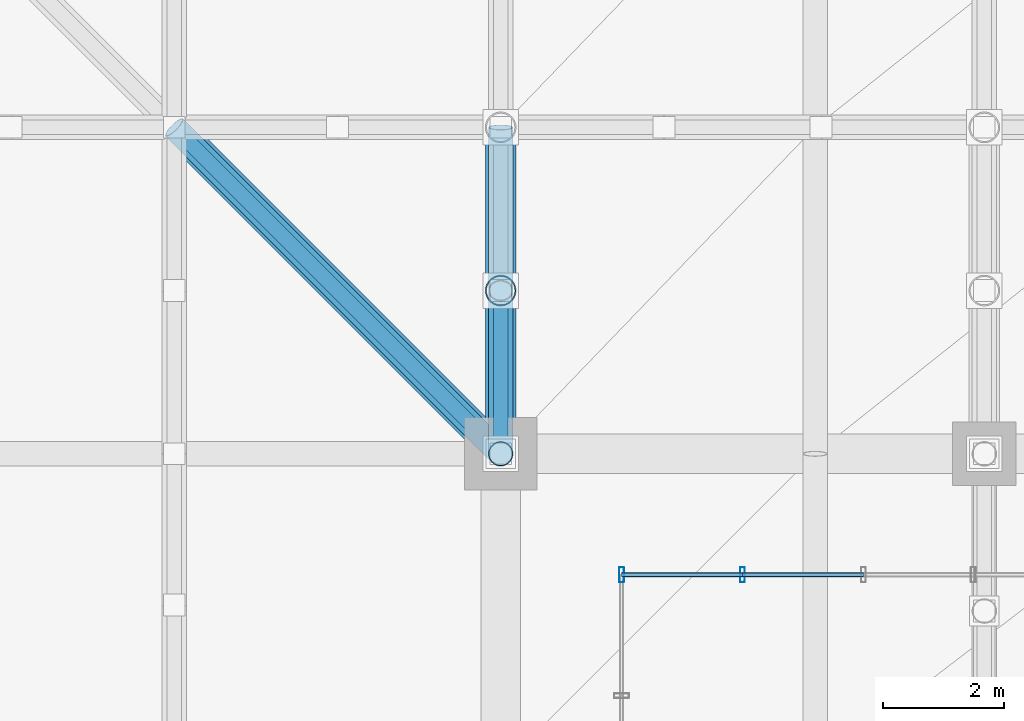
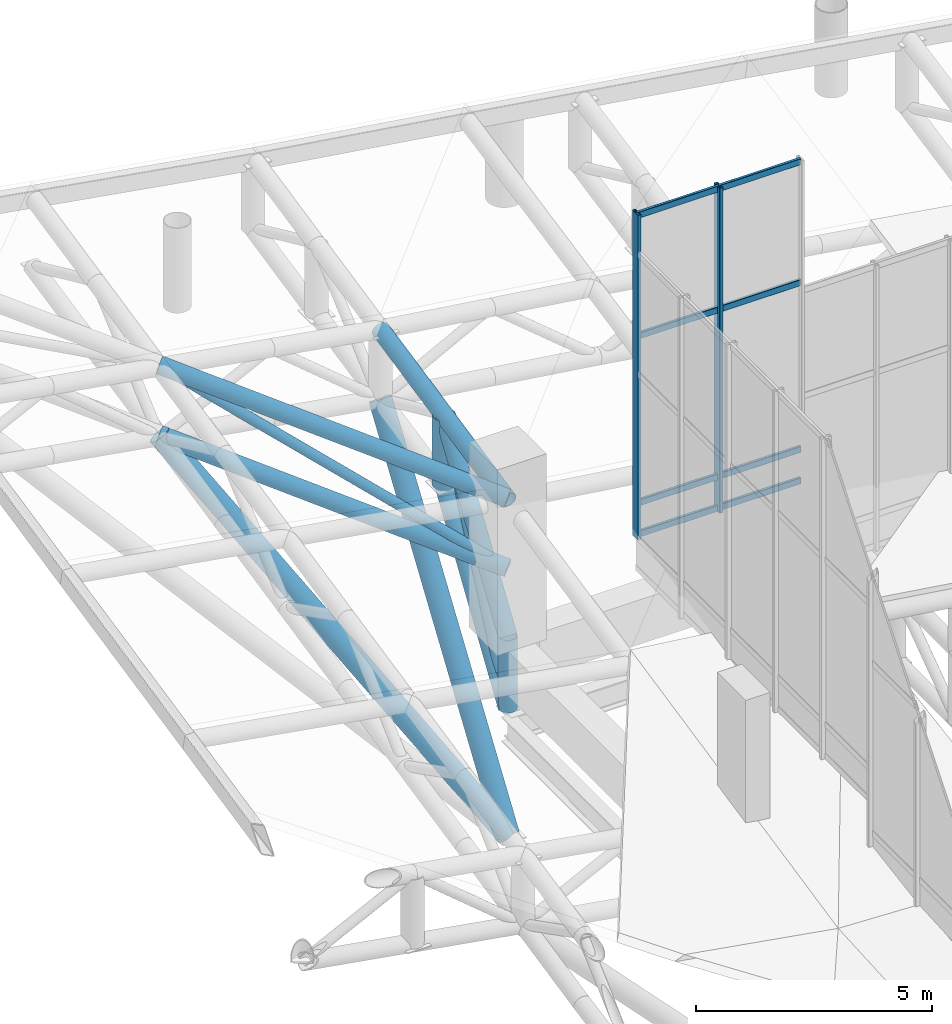
# One storey, part 41 of 137: 21 members, 1 element without a shape of its own.
"""IFC4 building model written with IfcOpenShell, lengths in metres."""

from ifc_helpers import new_model, si_unit, direction, frame, origin, origin_2d, place, context, subcontext, project, spatial, hollow_rectangle, hollow_circle, extrude, material, layer, layer_set, material_profile, profile_set, type_object, element, aggregate, save


model = new_model("IFC4")

# Units and contexts
model_context = context("Model", 3, precision=1e-05, world=origin(), true_north=direction((0.0, 1.0)))
body_context = subcontext(model_context, "Body", "Model", "MODEL_VIEW")
ifc_project = project(units=[si_unit("LENGTHUNIT", "METRE"), si_unit("AREAUNIT", "SQUARE_METRE"), si_unit("VOLUMEUNIT", "CUBIC_METRE"), si_unit("PLANEANGLEUNIT", "RADIAN"), si_unit("MASSUNIT", "GRAM", prefix="KILO")], contexts=[model_context])

# Site, building, storey
site_placement = place(None, origin())
site = spatial("IfcSite", under=ifc_project, at=site_placement, CompositionType="ELEMENT")
building_placement = place(site_placement, origin())
building = spatial("IfcBuilding", under=site, at=building_placement, Name="Khorjan Park Terminus", CompositionType="ELEMENT")
storey_placement = place(building_placement, frame((0.0, 0.0, 11.4)))
storey = spatial("IfcBuildingStorey", under=building, at=storey_placement, Name="L02", CompositionType="ELEMENT", Elevation=11.4)

# Members
ifc_material_1 = material(Name="Steel S355", Category="steel")
ifc_material_profile_1 = material_profile(ifc_material_1, hollow_circle(Radius=0.1222, WallThickness=0.0125, at=origin_2d()), Name="CHS 244.5x12.5")
ifc_profile_set_1 = profile_set([ifc_material_profile_1], Name="Steel S355")
member_type_1 = type_object("IfcMemberType", Name="MB-BRE-245", PredefinedType="BRACE", material=ifc_profile_set_1)
member_1_placement = place(storey_placement, frame((48.0, 88.0, -1.92), z_axis=(0.0, 0.413785624432, 0.910374349931), x_axis=(-1.0, 0.0, 0.0)))
element("IfcMember", 1, at=member_1_placement, inside=storey, type_object=member_type_1, Name="Lower shell cantilever truss diagonal (1N)", PredefinedType="BRACE", context=body_context, shape_type="SweptSolid", body=[
    extrude(hollow_circle(Radius=0.1222, WallThickness=0.0125, at=origin_2d()), origin(), (0.0, 0.0, 1.0), 6.5251),
])
member_2_placement = place(storey_placement, frame((48.0, 88.0, 1.6951), z_axis=(-0.630990520592, 0.630990520592, 0.451333497368), x_axis=(-0.707106781187, -0.707106781187, 0.0)))
element("IfcMember", 2, at=member_2_placement, inside=storey, type_object=member_type_1, Name="Lower shell upturned corner truss TBE-24 (NW)", PredefinedType="BRACE", context=body_context, shape_type="SweptSolid", body=[
    extrude(hollow_circle(Radius=0.1222, WallThickness=0.0125, at=origin_2d()), origin(), (0.0, 0.0, 1.0), 8.558),
])
ifc_material_profile_2 = material_profile(ifc_material_1, hollow_circle(Radius=0.2032, WallThickness=0.016, at=origin_2d()), Name="CHS 406.4x16")
ifc_profile_set_2 = profile_set([ifc_material_profile_2], Name="Steel S355")
member_type_2 = type_object("IfcMemberType", Name="MB-CHE-406", PredefinedType="CHORD", material=ifc_profile_set_2)
member_3_placement = place(storey_placement, frame((48.0, 88.0, 3.4471), z_axis=(0.0, 0.978199346233, 0.207668098245), x_axis=(-1.0, 0.0, 0.0)))
element("IfcMember", 3, at=member_3_placement, inside=storey, type_object=member_type_2, Name="Lower wrapping shell rim chord (124)", PredefinedType="CHORD", context=body_context, shape_type="SweptSolid", body=[
    extrude(hollow_circle(Radius=0.2032, WallThickness=0.016, at=origin_2d()), origin(), (0.0, 0.0, 1.0), 5.5203),
])
member_4_placement = place(storey_placement, frame((48.0, 88.0, -0.05), z_axis=(0.0, 0.552780526491, 0.833326880361), x_axis=(-1.0, 0.0, 0.0)))
element("IfcMember", 4, at=member_4_placement, inside=storey, type_object=member_type_2, Name="Lower shell cantilever truss top chord (1N)", PredefinedType="CHORD", context=body_context, shape_type="SweptSolid", body=[
    extrude(hollow_circle(Radius=0.2032, WallThickness=0.016, at=origin_2d()), origin(), (0.0, 0.0, 1.0), 4.8844),
])
member_5_placement = place(storey_placement, frame((48.0, 88.0, -1.92), z_axis=(0.0, 0.546240009424, 0.837628707784), x_axis=(-1.0, 0.0, 0.0)))
element("IfcMember", 5, at=member_5_placement, inside=storey, type_object=member_type_2, Name="Lower shell cantilever truss bottom chord (1N)", PredefinedType="CHORD", context=body_context, shape_type="SweptSolid", body=[
    extrude(hollow_circle(Radius=0.2032, WallThickness=0.016, at=origin_2d()), origin(), (0.0, 0.0, 1.0), 4.9429),
])
for number, where, z_axis, x_axis, name in (
    (6, (48.0, 88.0, 3.4951), (-0.682648477932, 0.682648477932, 0.260733793655), (-0.707106781187, -0.707106781187, 0.0), "Lower shell upturned corner truss TCE-41 (NW)"),
    (7, (48.0, 88.0, 1.6951), (-0.682648477932, 0.682648477932, 0.260733793655), (-0.707106781187, -0.707106781187, 0.0), "Lower shell upturned corner truss TCE-41 (NW)"),
):
    element("IfcMember", number, at=place(storey_placement, frame(where, z_axis=z_axis, x_axis=x_axis)), inside=storey, type_object=member_type_2, Name=name, PredefinedType="CHORD", context=body_context, shape_type="SweptSolid", body=[
        extrude(hollow_circle(Radius=0.2032, WallThickness=0.016, at=origin_2d()), origin(), (0.0, 0.0, 1.0), 7.9104),
    ])
ifc_material_profile_3 = material_profile(ifc_material_1, hollow_circle(Radius=0.2032, WallThickness=0.016, at=origin_2d()), Name="CHS 406.4x16")
ifc_profile_set_3 = profile_set([ifc_material_profile_3], Name="Steel S355")
member_type_3 = type_object("IfcMemberType", Name="MB-ST-406", PredefinedType="STRUT", material=ifc_profile_set_3)
member_6_placement = place(storey_placement, frame((48.0, 88.0, -1.92), z_axis=(0.0, 0.0, 1.0), x_axis=(1.0, 0.0, 0.0)))
element("IfcMember", 8, at=member_6_placement, inside=storey, type_object=member_type_3, Name="Lower shell cantilever truss post (1N)", PredefinedType="STRUT", context=body_context, shape_type="SweptSolid", body=[
    extrude(hollow_circle(Radius=0.2032, WallThickness=0.016, at=origin_2d()), origin(), (0.0, 0.0, 1.0), 1.87),
])
ifc_material_profile_4 = material_profile(ifc_material_1, hollow_circle(Radius=0.254, WallThickness=0.02, at=origin_2d()), Name="CHS 508x20")
ifc_profile_set_4 = profile_set([ifc_material_profile_4], Name="Steel S355")
member_type_4 = type_object("IfcMemberType", Name="MB-STE-508", PredefinedType="STRUT", material=ifc_profile_set_4)
member_7_placement = place(storey_placement, frame((48.0, 90.7, 2.2203), z_axis=(0.0, 0.0, 1.0), x_axis=(1.0, 0.0, 0.0)))
element("IfcMember", 9, at=member_7_placement, inside=storey, type_object=member_type_4, Name="Lower shell cantilever truss post (1N)", PredefinedType="STRUT", context=body_context, shape_type="SweptSolid", body=[
    extrude(hollow_circle(Radius=0.254, WallThickness=0.02, at=origin_2d()), origin(), (0.0, 0.0, 1.0), 1.8),
])
member_8_placement = place(storey_placement, frame((48.0, 88.0, -5.2), z_axis=(0.0, 0.559785275898, 0.82863770424), x_axis=(-1.0, 0.0, 0.0)))
element("IfcMember", 10, at=member_8_placement, inside=storey, type_object=member_type_4, Name="Lower shell raked overhang V-strut STE-51 (1N)", PredefinedType="STRUT", context=body_context, shape_type="SweptSolid", body=[
    extrude(hollow_circle(Radius=0.254, WallThickness=0.02, at=origin_2d()), origin(), (0.0, 0.0, 1.0), 9.6466),
])
member_9_placement = place(storey_placement, frame((48.0, 88.0, -5.2), z_axis=(-0.458750995878, 0.458750995878, 0.760982948273), x_axis=(-0.707106781187, -0.707106781187, 0.0)))
element("IfcMember", 11, at=member_9_placement, inside=storey, type_object=member_type_4, Name="Lower shell upturned corner truss STE-51 (NW)", PredefinedType="STRUT", context=body_context, shape_type="SweptSolid", body=[
    extrude(hollow_circle(Radius=0.254, WallThickness=0.02, at=origin_2d()), origin(), (0.0, 0.0, 1.0), 11.7711),
])

# Curtain wall, members
ifc_material_2 = material(Name="Anodized Bronze Aluminium", Category="aluminium")
ifc_layer = layer(ifc_material_2, 0.22)
ifc_layer_set = layer_set([ifc_layer], Name="Anodized Bronze Aluminium")
curtain_wall_type = type_object("IfcCurtainWallType", Name="CW-CONC-CLR", PredefinedType="NOTDEFINED", material=ifc_layer_set)
curtain_wall_placement = place(storey_placement, origin())
curtain_wall = element("IfcCurtainWall", 12, at=curtain_wall_placement, inside=storey, type_object=curtain_wall_type, Name="Unitized curtain wall CW-CL (CW-V2-N-CLR-01)", PredefinedType="NOTDEFINED")
ifc_material_profile_5 = material_profile(ifc_material_2, hollow_rectangle(XDim=0.08, YDim=0.25, WallThickness=0.005, InnerFilletRadius=0.005, OuterFilletRadius=0.01, at=origin_2d()), Name="ALM 80x250x5")
ifc_profile_set_5 = profile_set([ifc_material_profile_5], Name="Anodized Bronze Aluminium")
member_type_5 = type_object("IfcMemberType", Name="ML-ALM-250", PredefinedType="MULLION", material=ifc_profile_set_5)
member_10_placement = place(storey_placement, frame((52.0, 86.0, 3.0059), z_axis=(0.0, 0.0, 1.0), x_axis=(-1.0, 0.0, 0.0)))
member_10 = element("IfcMember", 13, at=member_10_placement, type_object=member_type_5, Name="Curtain-wall mullion ML-25 (CW-V2-N-CLR-01-1)", PredefinedType="MULLION", context=body_context, shape_type="SweptSolid", body=[
    extrude(hollow_rectangle(XDim=0.08, YDim=0.25, WallThickness=0.005, InnerFilletRadius=0.005, OuterFilletRadius=0.01, at=origin_2d()), origin(), (0.0, 0.0, 1.0), 8.4011),
])
member_11_placement = place(storey_placement, frame((50.0, 86.0, 3.0059), z_axis=(0.0, 0.0, 1.0), x_axis=(-1.0, 0.0, 0.0)))
member_11 = element("IfcMember", 14, at=member_11_placement, type_object=member_type_5, Name="Curtain-wall mullion ML-25 (CW-V2-N-CLR-01-2)", PredefinedType="MULLION", context=body_context, shape_type="SweptSolid", body=[
    extrude(hollow_rectangle(XDim=0.08, YDim=0.25, WallThickness=0.005, InnerFilletRadius=0.005, OuterFilletRadius=0.01, at=origin_2d()), origin(), (0.0, 0.0, 1.0), 8.4011),
])
ifc_material_profile_6 = material_profile(ifc_material_2, hollow_rectangle(XDim=0.07, YDim=0.16, WallThickness=0.004, InnerFilletRadius=0.004, OuterFilletRadius=0.008, at=origin_2d()), Name="ALT 70x160x4")
ifc_profile_set_6 = profile_set([ifc_material_profile_6], Name="Anodized Bronze Aluminium")
member_type_6 = type_object("IfcMemberType", Name="TR-ALT-160", PredefinedType="USERDEFINED", material=ifc_profile_set_6)
member_12_placement = place(storey_placement, frame((54.0, 86.0, 3.0809), z_axis=(-1.0, 0.0, 0.0), x_axis=(0.0, -1.0, 0.0)))
member_12 = element("IfcMember", 15, at=member_12_placement, type_object=member_type_6, Name="Curtain-wall transom TR-16 (CW-V2-N-CLR-01-0-1)", ObjectType="TRANSOM", PredefinedType="USERDEFINED", context=body_context, shape_type="SweptSolid", body=[
    extrude(hollow_rectangle(XDim=0.07, YDim=0.16, WallThickness=0.004, InnerFilletRadius=0.004, OuterFilletRadius=0.008, at=origin_2d()), origin(), (0.0, 0.0, 1.0), 2.0),
])
member_13_placement = place(storey_placement, frame((54.0, 86.0, 3.8909), z_axis=(-1.0, 0.0, 0.0), x_axis=(0.0, -1.0, 0.0)))
member_13 = element("IfcMember", 16, at=member_13_placement, type_object=member_type_6, Name="Curtain-wall transom TR-16 (CW-V2-N-CLR-01-0-2)", ObjectType="TRANSOM", PredefinedType="USERDEFINED", context=body_context, shape_type="SweptSolid", body=[
    extrude(hollow_rectangle(XDim=0.07, YDim=0.16, WallThickness=0.004, InnerFilletRadius=0.004, OuterFilletRadius=0.008, at=origin_2d()), origin(), (0.0, 0.0, 1.0), 2.0),
])
member_14_placement = place(storey_placement, frame((54.0, 86.0, 8.2062), z_axis=(-1.0, 0.0, 0.0), x_axis=(0.0, -1.0, 0.0)))
member_14 = element("IfcMember", 17, at=member_14_placement, type_object=member_type_6, Name="Curtain-wall transom TR-16 (CW-V2-N-CLR-01-0-3)", ObjectType="TRANSOM", PredefinedType="USERDEFINED", context=body_context, shape_type="SweptSolid", body=[
    extrude(hollow_rectangle(XDim=0.07, YDim=0.16, WallThickness=0.004, InnerFilletRadius=0.004, OuterFilletRadius=0.008, at=origin_2d()), origin(), (0.0, 0.0, 1.0), 2.0),
])
member_15_placement = place(storey_placement, frame((54.0, 86.0, 11.332), z_axis=(-1.0, 0.0, 0.0), x_axis=(0.0, -1.0, 0.0)))
member_15 = element("IfcMember", 18, at=member_15_placement, type_object=member_type_6, Name="Curtain-wall transom TR-16 (CW-V2-N-CLR-01-0-4)", ObjectType="TRANSOM", PredefinedType="USERDEFINED", context=body_context, shape_type="SweptSolid", body=[
    extrude(hollow_rectangle(XDim=0.07, YDim=0.16, WallThickness=0.004, InnerFilletRadius=0.004, OuterFilletRadius=0.008, at=origin_2d()), origin(), (0.0, 0.0, 1.0), 2.0),
])
member_16_placement = place(storey_placement, frame((52.0, 86.0, 3.0809), z_axis=(-1.0, 0.0, 0.0), x_axis=(0.0, -1.0, 0.0)))
member_16 = element("IfcMember", 19, at=member_16_placement, type_object=member_type_6, Name="Curtain-wall transom TR-16 (CW-V2-N-CLR-01-1-1)", ObjectType="TRANSOM", PredefinedType="USERDEFINED", context=body_context, shape_type="SweptSolid", body=[
    extrude(hollow_rectangle(XDim=0.07, YDim=0.16, WallThickness=0.004, InnerFilletRadius=0.004, OuterFilletRadius=0.008, at=origin_2d()), origin(), (0.0, 0.0, 1.0), 2.0),
])
member_17_placement = place(storey_placement, frame((52.0, 86.0, 3.8909), z_axis=(-1.0, 0.0, 0.0), x_axis=(0.0, -1.0, 0.0)))
member_17 = element("IfcMember", 20, at=member_17_placement, type_object=member_type_6, Name="Curtain-wall transom TR-16 (CW-V2-N-CLR-01-1-2)", ObjectType="TRANSOM", PredefinedType="USERDEFINED", context=body_context, shape_type="SweptSolid", body=[
    extrude(hollow_rectangle(XDim=0.07, YDim=0.16, WallThickness=0.004, InnerFilletRadius=0.004, OuterFilletRadius=0.008, at=origin_2d()), origin(), (0.0, 0.0, 1.0), 2.0),
])
member_18_placement = place(storey_placement, frame((52.0, 86.0, 8.2062), z_axis=(-1.0, 0.0, 0.0), x_axis=(0.0, -1.0, 0.0)))
member_18 = element("IfcMember", 21, at=member_18_placement, type_object=member_type_6, Name="Curtain-wall transom TR-16 (CW-V2-N-CLR-01-1-3)", ObjectType="TRANSOM", PredefinedType="USERDEFINED", context=body_context, shape_type="SweptSolid", body=[
    extrude(hollow_rectangle(XDim=0.07, YDim=0.16, WallThickness=0.004, InnerFilletRadius=0.004, OuterFilletRadius=0.008, at=origin_2d()), origin(), (0.0, 0.0, 1.0), 2.0),
])
member_19_placement = place(storey_placement, frame((52.0, 86.0, 11.332), z_axis=(-1.0, 0.0, 0.0), x_axis=(0.0, -1.0, 0.0)))
member_19 = element("IfcMember", 22, at=member_19_placement, type_object=member_type_6, Name="Curtain-wall transom TR-16 (CW-V2-N-CLR-01-1-4)", ObjectType="TRANSOM", PredefinedType="USERDEFINED", context=body_context, shape_type="SweptSolid", body=[
    extrude(hollow_rectangle(XDim=0.07, YDim=0.16, WallThickness=0.004, InnerFilletRadius=0.004, OuterFilletRadius=0.008, at=origin_2d()), origin(), (0.0, 0.0, 1.0), 2.0),
])
aggregate(curtain_wall, [member_10, member_11, member_12, member_13, member_14, member_15, member_16, member_17, member_18, member_19])

save(model, "model.ifc")
